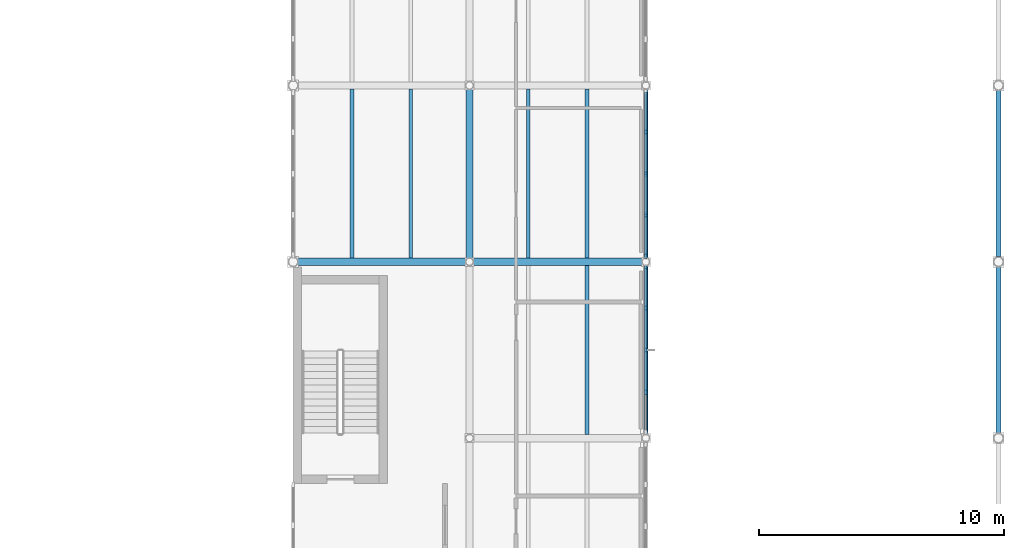
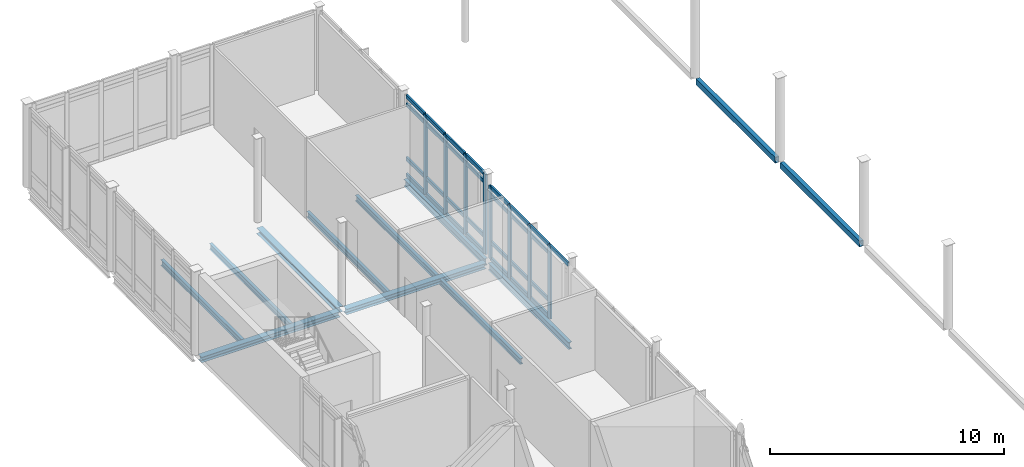
# One storey, part 25 of 76: 37 members, 12 beams, 2 elements without a shape of their own.
"""IFC4 building model written with IfcOpenShell, lengths in metres."""

import ifcopenshell
import ifcopenshell.guid

model = None  # the IFC model being written
_history = None  # IfcOwnerHistory: only IFC2X3 demands one
_inside = {}  # id of a spatial element -> (the spatial element, [elements in it])
_under = {}  # id of a project, library or spatial element -> (it, [spatial elements below it])
_declared = {}  # id of a project -> (the project, [libraries it declares])
_typed = {}  # id of a type object -> (the type object, [elements of that type])
_made_of = {}  # id of a material, layer set ... -> (it, [elements and type objects made of it])


def new_model(schema):
    """Start an empty IFC model of exactly this schema.

    Asked for "IFC4X3", IfcOpenShell would pick the latest addendum, in which some entities
    have other attributes; the version numbers below select the first issue.
    IFC2X3 requires an IfcOwnerHistory on every rooted entity: one is made here for all.
    """
    global model, _history
    if schema == "IFC4X3":
        model = ifcopenshell.file(schema_version=(4, 3, 0, 0))
    else:
        model = ifcopenshell.file(schema=schema)
    _inside.clear()
    _under.clear()
    _declared.clear()
    _typed.clear()
    _made_of.clear()
    _history = None
    if model.schema == "IFC2X3":
        org = make("IfcOrganization", Name="unknown")
        user = make(
            "IfcPersonAndOrganization",
            ThePerson=make("IfcPerson", FamilyName="unknown"),
            TheOrganization=org,
        )
        app = make(
            "IfcApplication",
            ApplicationDeveloper=org,
            Version="unknown",
            ApplicationFullName="unknown",
            ApplicationIdentifier="unknown",
        )
        _history = make(
            "IfcOwnerHistory",
            OwningUser=user,
            OwningApplication=app,
            ChangeAction="ADDED",
            CreationDate=0,
        )
    return model


def make(cls, **values):
    """One entity of the class cls with the attributes given. An attribute that is None is left unset."""
    return model.create_entity(
        cls, **{name: value for name, value in values.items() if value is not None}
    )


def rooted(cls, **values):
    """An entity with a GlobalId (a new one), such as an element, a storey or a relation."""
    return make(cls, GlobalId=ifcopenshell.guid.new(), OwnerHistory=_history, **values)


def si_unit(unit_type, name, prefix=None):
    """IfcSIUnit, for example si_unit("LENGTHUNIT", "METRE", prefix="MILLI")."""
    return make("IfcSIUnit", UnitType=unit_type, Prefix=prefix, Name=name)


def assignment(units):
    """IfcUnitAssignment: the units of a project."""
    return None if units is None else make("IfcUnitAssignment", Units=units)


def point(xyz):
    """IfcCartesianPoint."""
    return None if xyz is None else make("IfcCartesianPoint", Coordinates=xyz)


def direction(xyz):
    """IfcDirection."""
    return None if xyz is None else make("IfcDirection", DirectionRatios=xyz)


def frame(location, z_axis=None, x_axis=None):
    """IfcAxis2Placement3D, a coordinate frame: its origin and axes. An axis left out is left unset."""
    return make(
        "IfcAxis2Placement3D",
        Location=point(location),
        Axis=direction(z_axis),
        RefDirection=direction(x_axis),
    )


def frame_2d(location, x_axis=None):
    """IfcAxis2Placement2D, a coordinate frame in the plane: its origin and x axis."""
    return make(
        "IfcAxis2Placement2D", Location=point(location), RefDirection=direction(x_axis)
    )


def origin():
    """The frame at (0, 0, 0) with its axes left unset."""
    return frame((0.0, 0.0, 0.0))


def origin_2d():
    """The frame at (0, 0) in the plane with its x axis left unset."""
    return frame_2d((0.0, 0.0))


def place(relative_to, where):
    """IfcLocalPlacement: puts the frame where relative to a parent placement (None: the world)."""
    return make(
        "IfcLocalPlacement", PlacementRelTo=relative_to, RelativePlacement=where
    )


def context(
    kind, dimensions, precision=None, world=None, true_north=None, identifier=None
):
    """IfcGeometricRepresentationContext, for example the 3D "Model" context."""
    return make(
        "IfcGeometricRepresentationContext",
        ContextIdentifier=identifier,
        ContextType=kind,
        CoordinateSpaceDimension=dimensions,
        Precision=precision,
        WorldCoordinateSystem=world,
        TrueNorth=true_north,
    )


def subcontext(parent, identifier, kind, view, scale=None):
    """IfcGeometricRepresentationSubContext, for example "Body" below "Model"."""
    return make(
        "IfcGeometricRepresentationSubContext",
        ContextIdentifier=identifier,
        ContextType=kind,
        ParentContext=parent,
        TargetScale=scale,
        TargetView=view,
    )


def project(units=None, contexts=None):
    """IfcProject with its units and contexts."""
    return rooted(
        "IfcProject",
        Name="project",
        RepresentationContexts=contexts,
        UnitsInContext=assignment(units),
    )


def spatial(cls, under=None, at=None, **own):
    """A site, building, storey or space (cls), placed at a placement, below another one or the project."""
    s = rooted(cls, ObjectPlacement=at, **own)
    if under is not None:
        _under.setdefault(under.id(), (under, []))[1].append(s)
    return s


def profile(cls, at=None, kind="AREA", **sizes):
    """A parametric profile (cls). Its sizes go by their IFC names, for example OverallWidth=200.0."""
    return make(cls, ProfileType=kind, Position=at, **sizes)


def rectangle(**sizes):
    """IfcRectangleProfileDef."""
    return profile("IfcRectangleProfileDef", **sizes)


def hollow_rectangle(**sizes):
    """IfcRectangleHollowProfileDef."""
    return profile("IfcRectangleHollowProfileDef", **sizes)


def i_section(**sizes):
    """IfcIShapeProfileDef."""
    return profile("IfcIShapeProfileDef", **sizes)


def extrude(swept, where, along, depth):
    """IfcExtrudedAreaSolid: the profile swept, set in the frame where, extruded along a direction by depth."""
    return make(
        "IfcExtrudedAreaSolid",
        SweptArea=swept,
        Position=where,
        ExtrudedDirection=direction(along),
        Depth=depth,
    )


def shape(context_of_items, identifier, shape_type, items):
    """IfcShapeRepresentation: the items that make up one representation, for example the "Body"."""
    return make(
        "IfcShapeRepresentation",
        ContextOfItems=context_of_items,
        RepresentationIdentifier=identifier,
        RepresentationType=shape_type,
        Items=items,
    )


def material(Name=None, Category=None):
    """IfcMaterial."""
    return make("IfcMaterial", Name=Name, Category=Category)


def layer(
    of_material, thickness, ventilated=None, Name=None, Category=None, Priority=None
):
    """IfcMaterialLayer: one layer of a wall or slab, of a material (None: an air gap)."""
    return make(
        "IfcMaterialLayer",
        Material=of_material,
        LayerThickness=thickness,
        IsVentilated=ventilated,
        Name=Name,
        Category=Category,
        Priority=Priority,
    )


def layer_set(layers, Name=None):
    """IfcMaterialLayerSet."""
    return make("IfcMaterialLayerSet", MaterialLayers=layers, LayerSetName=Name)


def material_profile(
    of_material, cross_section, Name=None, Category=None, Priority=None
):
    """IfcMaterialProfile: a cross section and its material."""
    return make(
        "IfcMaterialProfile",
        Name=Name,
        Material=of_material,
        Profile=cross_section,
        Priority=Priority,
        Category=Category,
    )


def profile_set(profiles, Name=None, composite=None):
    """IfcMaterialProfileSet."""
    return make(
        "IfcMaterialProfileSet",
        Name=Name,
        MaterialProfiles=profiles,
        CompositeProfile=composite,
    )


def made_of(thing, what):
    """Note that an element or type object is made of a material, layer set ...; save() writes the relation."""
    if what is not None:
        _made_of.setdefault(what.id(), (what, []))[1].append(thing)
    return thing


def type_object(cls, material=None, **own):
    """A type object (cls), such as IfcWallType, which elements share."""
    return made_of(rooted(cls, **own), material)


def element(
    cls,
    number,
    at=None,
    inside=None,
    cuts=None,
    type_object=None,
    material=None,
    context=None,
    identifier="Body",
    shape_type=None,
    held_by="IfcProductDefinitionShape",
    body=None,
    shapes=None,
    **own,
):
    """One element of the class cls, such as IfcWall. Its Tag is "e" and its number.

    at: its placement. inside: the storey or other place that contains it. cuts: it is an
    opening in that element (IfcRelVoidsElement). A single representation is given by context,
    identifier, shape_type and body (its items); several are given by shapes. held_by: the class
    of the entity that holds the representations. save() writes the other relations.
    """
    e = rooted(cls, Tag="e%d" % number, ObjectPlacement=at, **own)
    if body is not None:
        shapes = [shape(context, identifier, shape_type, body)]
    if shapes is not None:
        e.Representation = make(held_by, Representations=shapes)
    if inside is not None:
        _inside.setdefault(inside.id(), (inside, []))[1].append(e)
    if cuts is not None:
        rooted(
            "IfcRelVoidsElement", RelatingBuildingElement=cuts, RelatedOpeningElement=e
        )
    if type_object is not None:
        _typed.setdefault(type_object.id(), (type_object, []))[1].append(e)
    return made_of(e, material)


def aggregate(whole, parts):
    """IfcRelAggregates: a whole, such as a stair, and the parts it consists of."""
    return rooted("IfcRelAggregates", RelatingObject=whole, RelatedObjects=parts)


def save(model, path):
    """Write the relations noted so far, then the file.

    IfcRelAggregates (storeys below a building ...), IfcRelContainedInSpatialStructure (elements
    in a storey), IfcRelDefinesByType, IfcRelAssociatesMaterial and IfcRelDeclares: one each for
    every whole, place, type object, material and project.
    """
    for whole, parts in _under.values():
        aggregate(whole, parts)
    for where, things in _inside.values():
        rooted(
            "IfcRelContainedInSpatialStructure",
            RelatedElements=things,
            RelatingStructure=where,
        )
    for kind, things in _typed.values():
        rooted("IfcRelDefinesByType", RelatedObjects=things, RelatingType=kind)
    for what, things in _made_of.values():
        rooted("IfcRelAssociatesMaterial", RelatedObjects=things, RelatingMaterial=what)
    for by, libraries in _declared.values():
        rooted("IfcRelDeclares", RelatingContext=by, RelatedDefinitions=libraries)
    model.write(path)


model = new_model("IFC4")

# Units and contexts
model_context = context("Model", 3, precision=1e-05, world=origin(), true_north=direction((0.0, 1.0)))
body_context = subcontext(model_context, "Body", "Model", "MODEL_VIEW")
ifc_project = project(units=[si_unit("LENGTHUNIT", "METRE"), si_unit("AREAUNIT", "SQUARE_METRE"), si_unit("VOLUMEUNIT", "CUBIC_METRE"), si_unit("PLANEANGLEUNIT", "RADIAN"), si_unit("MASSUNIT", "GRAM", prefix="KILO")], contexts=[model_context])

# Site, building, storey
site_placement = place(None, origin())
site = spatial("IfcSite", under=ifc_project, at=site_placement, CompositionType="ELEMENT")
building_placement = place(site_placement, origin())
building = spatial("IfcBuilding", under=site, at=building_placement, Name="Zarrinpeak Specialist Clinic", CompositionType="ELEMENT")
storey_placement = place(building_placement, frame((0.0, 0.0, 5.199951171875)))
storey = spatial("IfcBuildingStorey", under=building, at=storey_placement, Name="L01", CompositionType="ELEMENT", Elevation=5.199951171875)

# Beams
ifc_material_1 = material(Name="Steel S355", Category="steel")
ifc_material_profile_1 = material_profile(ifc_material_1, i_section(OverallWidth=0.300048828125, OverallDepth=0.2900390625, WebThickness=0.008544921875, FlangeThickness=0.013916015625, FilletRadius=0.027099609375, at=origin_2d()), Name="HEA 300")
ifc_profile_set_1 = profile_set([ifc_material_profile_1], Name="Steel S355")
beam_type_1 = type_object("IfcBeamType", Name="BM-HEA300", PredefinedType="BEAM", material=ifc_profile_set_1)
beam_1_placement = place(storey_placement, frame((93.80126953125, 57.60009765625, -0.375), z_axis=(1.0, 0.0, 0.0), x_axis=(0.0, 1.0, 0.0)))
element("IfcBeam", 1, at=beam_1_placement, inside=storey, type_object=beam_type_1, Name="L01 Primary Floor Girder BM-L01-X0789", PredefinedType="BEAM", context=body_context, shape_type="SweptSolid", body=[
    extrude(i_section(OverallWidth=0.300048828125, OverallDepth=0.2900390625, WebThickness=0.008544921875, FlangeThickness=0.013916015625, FilletRadius=0.027099609375, at=origin_2d()), origin(), (0.0, 0.0, 1.0), 6.838623046875),
])
beam_2_placement = place(storey_placement, frame((100.9599609375, 57.60009765625, -0.375), z_axis=(1.0, 0.0, 0.0), x_axis=(0.0, 1.0, 0.0)))
element("IfcBeam", 2, at=beam_2_placement, inside=storey, type_object=beam_type_1, Name="L01 Primary Floor Girder BM-L01-X0790", PredefinedType="BEAM", context=body_context, shape_type="SweptSolid", body=[
    extrude(i_section(OverallWidth=0.300048828125, OverallDepth=0.2900390625, WebThickness=0.008544921875, FlangeThickness=0.013916015625, FilletRadius=0.027099609375, at=origin_2d()), origin(), (0.0, 0.0, 1.0), 6.880126953125),
])
beam_3_placement = place(storey_placement, frame((100.800048828125, 57.760009765625, -0.375), z_axis=(0.0, 1.0, 0.0), x_axis=(-1.0, 0.0, 0.0)))
element("IfcBeam", 3, at=beam_3_placement, inside=storey, type_object=beam_type_1, Name="L01 Primary Beam BM-L01-Y0937", PredefinedType="BEAM", context=body_context, shape_type="SweptSolid", body=[
    extrude(i_section(OverallWidth=0.300048828125, OverallDepth=0.2900390625, WebThickness=0.008544921875, FlangeThickness=0.013916015625, FilletRadius=0.027099609375, at=origin_2d()), origin(), (0.0, 0.0, 1.0), 6.8798828125),
])
ifc_material_profile_2 = material_profile(ifc_material_1, i_section(OverallWidth=0.14990234375, OverallDepth=0.300048828125, WebThickness=0.007080078125, FlangeThickness=0.0107421875, FilletRadius=0.014892578125, at=origin_2d()), Name="IPE 300")
ifc_profile_set_2 = profile_set([ifc_material_profile_2], Name="Steel S355")
beam_type_2 = type_object("IfcBeamType", Name="BM-JST300", PredefinedType="JOIST", material=ifc_profile_set_2)
for number, where, z_axis, x_axis, name in (
    (4, (96.0, 57.748046875, -0.3798828125), (0.0, 1.0, 0.0), (-1.0, 0.0, 0.0), "L01 Composite Floor Joist JST-L01-1029"),
    (5, (98.39990234375, 57.748046875, -0.3798828125), (0.0, 1.0, 0.0), (-1.0, 0.0, 0.0), "L01 Composite Floor Joist JST-L01-1030"),
):
    element("IfcBeam", number, at=place(storey_placement, frame(where, z_axis=z_axis, x_axis=x_axis)), inside=storey, type_object=beam_type_2, Name=name, PredefinedType="JOIST", context=body_context, shape_type="SweptSolid", body=[
        extrude(i_section(OverallWidth=0.14990234375, OverallDepth=0.300048828125, WebThickness=0.007080078125, FlangeThickness=0.0107421875, FilletRadius=0.014892578125, at=origin_2d()), origin(), (0.0, 0.0, 1.0), 6.904052734375),
    ])
beam_4_placement = place(storey_placement, frame((105.60009765625, 50.548095703125, -0.3798828125), z_axis=(0.0, 1.0, 0.0), x_axis=(-1.0, 0.0, 0.0)))
element("IfcBeam", 6, at=beam_4_placement, inside=storey, type_object=beam_type_2, Name="L01 Composite Floor Joist JST-L01-1040", PredefinedType="JOIST", context=body_context, shape_type="SweptSolid", body=[
    extrude(i_section(OverallWidth=0.14990234375, OverallDepth=0.300048828125, WebThickness=0.007080078125, FlangeThickness=0.0107421875, FilletRadius=0.014892578125, at=origin_2d()), origin(), (0.0, 0.0, 1.0), 6.90380859375),
])
for number, where, z_axis, x_axis, name in (
    (7, (103.199951171875, 57.748046875, -0.3798828125), (0.0, 1.0, 0.0), (-1.0, 0.0, 0.0), "L01 Composite Floor Joist JST-L01-1041"),
    (8, (105.60009765625, 57.748046875, -0.3798828125), (0.0, 1.0, 0.0), (-1.0, 0.0, 0.0), "L01 Composite Floor Joist JST-L01-1042"),
):
    element("IfcBeam", number, at=place(storey_placement, frame(where, z_axis=z_axis, x_axis=x_axis)), inside=storey, type_object=beam_type_2, Name=name, PredefinedType="JOIST", context=body_context, shape_type="SweptSolid", body=[
        extrude(i_section(OverallWidth=0.14990234375, OverallDepth=0.300048828125, WebThickness=0.007080078125, FlangeThickness=0.0107421875, FilletRadius=0.014892578125, at=origin_2d()), origin(), (0.0, 0.0, 1.0), 6.904052734375),
    ])
ifc_material_profile_3 = material_profile(ifc_material_1, hollow_rectangle(XDim=0.199951171875, YDim=0.300048828125, WallThickness=0.012451171875, at=origin_2d()), Name="RHS 300x200x12.5")
ifc_profile_set_3 = profile_set([ifc_material_profile_3], Name="Steel S355")
beam_type_3 = type_object("IfcBeamType", Name="BM-SP300", PredefinedType="SPANDREL", material=ifc_profile_set_3)
beam_5_placement = place(storey_placement, frame((122.39990234375, 50.610107421875, -0.14990234375), z_axis=(0.0, 1.0, 0.0), x_axis=(-1.0, 0.0, 0.0)))
element("IfcBeam", 9, at=beam_5_placement, inside=storey, type_object=beam_type_3, Name="L01 V3 Hall East Spandrel Girt Y2538", PredefinedType="SPANDREL", context=body_context, shape_type="SweptSolid", body=[
    extrude(hollow_rectangle(XDim=0.199951171875, YDim=0.300048828125, WallThickness=0.012451171875, at=origin_2d()), origin(), (0.0, 0.0, 1.0), 6.77978515625),
])
beam_6_placement = place(storey_placement, frame((122.39990234375, 57.81005859375, -0.14990234375), z_axis=(0.0, 1.0, 0.0), x_axis=(-1.0, 0.0, 0.0)))
element("IfcBeam", 10, at=beam_6_placement, inside=storey, type_object=beam_type_3, Name="L01 V3 Hall East Spandrel Girt Y2539", PredefinedType="SPANDREL", context=body_context, shape_type="SweptSolid", body=[
    extrude(hollow_rectangle(XDim=0.199951171875, YDim=0.300048828125, WallThickness=0.012451171875, at=origin_2d()), origin(), (0.0, 0.0, 1.0), 6.780029296875),
])
ifc_material_profile_4 = material_profile(ifc_material_1, i_section(OverallWidth=0.169921875, OverallDepth=0.360107421875, WebThickness=0.008056640625, FlangeThickness=0.0126953125, FilletRadius=0.01806640625, at=origin_2d()), Name="IPE 360")
ifc_profile_set_4 = profile_set([ifc_material_profile_4], Name="Steel S355")
beam_type_4 = type_object("IfcBeamType", Name="BM-SP360", PredefinedType="SPANDREL", material=ifc_profile_set_4)
beam_7_placement = place(storey_placement, frame((108.0, 50.559814453125, -0.409912109375), z_axis=(0.0, 1.0, 0.0), x_axis=(-1.0, 0.0, 0.0)))
element("IfcBeam", 11, at=beam_7_placement, inside=storey, type_object=beam_type_4, Name="L01 Perimeter Spandrel Beam BM-L01-Y0942", PredefinedType="SPANDREL", context=body_context, shape_type="SweptSolid", body=[
    extrude(i_section(OverallWidth=0.169921875, OverallDepth=0.360107421875, WebThickness=0.008056640625, FlangeThickness=0.0126953125, FilletRadius=0.01806640625, at=origin_2d()), origin(), (0.0, 0.0, 1.0), 6.88037109375),
])
beam_8_placement = place(storey_placement, frame((108.0, 57.760009765625, -0.409912109375), z_axis=(0.0, 1.0, 0.0), x_axis=(-1.0, 0.0, 0.0)))
element("IfcBeam", 12, at=beam_8_placement, inside=storey, type_object=beam_type_4, Name="L01 Perimeter Spandrel Beam BM-L01-Y0943", PredefinedType="SPANDREL", context=body_context, shape_type="SweptSolid", body=[
    extrude(i_section(OverallWidth=0.169921875, OverallDepth=0.360107421875, WebThickness=0.008056640625, FlangeThickness=0.0126953125, FilletRadius=0.01806640625, at=origin_2d()), origin(), (0.0, 0.0, 1.0), 6.8798828125),
])

# Curtain wall, members
ifc_material_2 = material(Name="Anodised Aluminium Alloy 6063-T6", Category="aluminium")
ifc_layer = layer(ifc_material_2, 0.199951171875)
ifc_layer_set = layer_set([ifc_layer], Name="Anodised Aluminium Alloy 6063-T6")
curtain_wall_type = type_object("IfcCurtainWallType", Name="CW-HALL", PredefinedType="NOTDEFINED", material=ifc_layer_set)
curtain_wall_1_placement = place(storey_placement, origin())
curtain_wall_1 = element("IfcCurtainWall", 13, at=curtain_wall_1_placement, inside=storey, type_object=curtain_wall_type, Name="L01 V3 Unitised Curtain Wall CW-L01-V3-108", PredefinedType="NOTDEFINED")
ifc_material_profile_5 = material_profile(ifc_material_2, rectangle(XDim=0.090087890625, YDim=0.219970703125, at=origin_2d()), Name="ALU 90x220")
ifc_profile_set_5 = profile_set([ifc_material_profile_5], Name="Anodised Aluminium Alloy 6063-T6")
member_type_1 = type_object("IfcMemberType", Name="CWM-90", PredefinedType="MULLION", material=ifc_profile_set_5)
member_1_placement = place(storey_placement, frame((108.0, 52.29345703125, 0.0), z_axis=(0.0, 0.0, 1.0), x_axis=(-1.0, 0.0, 0.0)))
member_1 = element("IfcMember", 14, at=member_1_placement, type_object=member_type_1, Name="CW-02 mullion 2", PredefinedType="MULLION", context=body_context, shape_type="SweptSolid", body=[
    extrude(rectangle(XDim=0.090087890625, YDim=0.219970703125, at=origin_2d()), origin(), (0.0, 0.0, 1.0), 3.81005859375),
])
member_2_placement = place(storey_placement, frame((108.0, 54.0, 0.0), z_axis=(0.0, 0.0, 1.0), x_axis=(-1.0, 0.0, 0.0)))
member_2 = element("IfcMember", 15, at=member_2_placement, type_object=member_type_1, Name="CW-02 mullion 3", PredefinedType="MULLION", context=body_context, shape_type="SweptSolid", body=[
    extrude(rectangle(XDim=0.090087890625, YDim=0.219970703125, at=origin_2d()), origin(), (0.0, 0.0, 1.0), 3.81005859375),
])
member_3_placement = place(storey_placement, frame((108.0, 55.70654296875, 0.0), z_axis=(0.0, 0.0, 1.0), x_axis=(-1.0, 0.0, 0.0)))
member_3 = element("IfcMember", 16, at=member_3_placement, type_object=member_type_1, Name="CW-02 mullion 4", PredefinedType="MULLION", context=body_context, shape_type="SweptSolid", body=[
    extrude(rectangle(XDim=0.090087890625, YDim=0.219970703125, at=origin_2d()), origin(), (0.0, 0.0, 1.0), 3.81005859375),
])
member_4_placement = place(storey_placement, frame((108.0, 57.367919921875, 0.0), z_axis=(0.0, 0.0, 1.0), x_axis=(-1.0, 0.0, 0.0)))
member_4 = element("IfcMember", 17, at=member_4_placement, type_object=member_type_1, Name="CW-02 mullion 5", PredefinedType="MULLION", context=body_context, shape_type="SweptSolid", body=[
    extrude(rectangle(XDim=0.090087890625, YDim=0.219970703125, at=origin_2d()), origin(), (0.0, 0.0, 1.0), 3.81005859375),
])

curtain_wall_2_placement = place(storey_placement, origin())
curtain_wall_2 = element("IfcCurtainWall", 18, at=curtain_wall_2_placement, inside=storey, type_object=curtain_wall_type, Name="L01 V3 Unitised Curtain Wall CW-L01-V3-109", PredefinedType="NOTDEFINED")
member_5_placement = place(storey_placement, frame((108.0, 57.83203125, 0.0), z_axis=(0.0, 0.0, 1.0), x_axis=(-1.0, 0.0, 0.0)))
member_5 = element("IfcMember", 19, at=member_5_placement, type_object=member_type_1, Name="CW-02 mullion 1", PredefinedType="MULLION", context=body_context, shape_type="SweptSolid", body=[
    extrude(rectangle(XDim=0.090087890625, YDim=0.219970703125, at=origin_2d()), origin(), (0.0, 0.0, 1.0), 4.18505859375),
])
member_6_placement = place(storey_placement, frame((108.0, 59.493408203125, 0.0), z_axis=(0.0, 0.0, 1.0), x_axis=(-1.0, 0.0, 0.0)))
member_6 = element("IfcMember", 20, at=member_6_placement, type_object=member_type_1, Name="CW-02 mullion 2", PredefinedType="MULLION", context=body_context, shape_type="SweptSolid", body=[
    extrude(rectangle(XDim=0.090087890625, YDim=0.219970703125, at=origin_2d()), origin(), (0.0, 0.0, 1.0), 4.18505859375),
])
member_7_placement = place(storey_placement, frame((108.0, 61.199951171875, 0.0), z_axis=(0.0, 0.0, 1.0), x_axis=(-1.0, 0.0, 0.0)))
member_7 = element("IfcMember", 21, at=member_7_placement, type_object=member_type_1, Name="CW-02 mullion 3", PredefinedType="MULLION", context=body_context, shape_type="SweptSolid", body=[
    extrude(rectangle(XDim=0.090087890625, YDim=0.219970703125, at=origin_2d()), origin(), (0.0, 0.0, 1.0), 4.18505859375),
])
member_8_placement = place(storey_placement, frame((108.0, 62.906494140625, 0.0), z_axis=(0.0, 0.0, 1.0), x_axis=(-1.0, 0.0, 0.0)))
member_8 = element("IfcMember", 22, at=member_8_placement, type_object=member_type_1, Name="CW-02 mullion 4", PredefinedType="MULLION", context=body_context, shape_type="SweptSolid", body=[
    extrude(rectangle(XDim=0.090087890625, YDim=0.219970703125, at=origin_2d()), origin(), (0.0, 0.0, 1.0), 4.18505859375),
])

# Member
ifc_material_profile_6 = material_profile(ifc_material_2, rectangle(XDim=0.090087890625, YDim=0.18994140625, at=origin_2d()), Name="ALU 90x190")
ifc_profile_set_6 = profile_set([ifc_material_profile_6], Name="Anodised Aluminium Alloy 6063-T6")
member_type_2 = type_object("IfcMemberType", Name="CWT-90", PredefinedType="USERDEFINED", material=ifc_profile_set_6)
member_9_placement = place(storey_placement, frame((108.0, 50.677001953125, 3.76513671875), z_axis=(0.0, 1.0, 0.0), x_axis=(-1.0, 0.0, 0.0)))
member_9 = element("IfcMember", 23, at=member_9_placement, type_object=member_type_2, Name="CW-02 transom 1.4", ObjectType="TRANSOM", PredefinedType="USERDEFINED", context=body_context, shape_type="SweptSolid", body=[
    extrude(rectangle(XDim=0.090087890625, YDim=0.18994140625, at=origin_2d()), origin(), (0.0, 0.0, 1.0), 1.571533203125),
])

member_10_placement = place(storey_placement, frame((108.0, 52.33837890625, 0.045166015625), z_axis=(0.0, 1.0, 0.0), x_axis=(-1.0, 0.0, 0.0)))
member_10 = element("IfcMember", 24, at=member_10_placement, type_object=member_type_2, Name="CW-02 transom 2.1", ObjectType="TRANSOM", PredefinedType="USERDEFINED", context=body_context, shape_type="SweptSolid", body=[
    extrude(rectangle(XDim=0.090087890625, YDim=0.18994140625, at=origin_2d()), origin(), (0.0, 0.0, 1.0), 1.61669921875),
])

member_11_placement = place(storey_placement, frame((108.0, 52.33837890625, 0.900146484375), z_axis=(0.0, 1.0, 0.0), x_axis=(-1.0, 0.0, 0.0)))
member_11 = element("IfcMember", 25, at=member_11_placement, type_object=member_type_2, Name="CW-02 transom 2.2", ObjectType="TRANSOM", PredefinedType="USERDEFINED", context=body_context, shape_type="SweptSolid", body=[
    extrude(rectangle(XDim=0.090087890625, YDim=0.18994140625, at=origin_2d()), origin(), (0.0, 0.0, 1.0), 1.61669921875),
])

member_12_placement = place(storey_placement, frame((108.0, 52.33837890625, 3.360107421875), z_axis=(0.0, 1.0, 0.0), x_axis=(-1.0, 0.0, 0.0)))
member_12 = element("IfcMember", 26, at=member_12_placement, type_object=member_type_2, Name="CW-02 transom 2.3", ObjectType="TRANSOM", PredefinedType="USERDEFINED", context=body_context, shape_type="SweptSolid", body=[
    extrude(rectangle(XDim=0.090087890625, YDim=0.18994140625, at=origin_2d()), origin(), (0.0, 0.0, 1.0), 1.61669921875),
])

member_13_placement = place(storey_placement, frame((108.0, 52.33837890625, 3.76513671875), z_axis=(0.0, 1.0, 0.0), x_axis=(-1.0, 0.0, 0.0)))
member_13 = element("IfcMember", 27, at=member_13_placement, type_object=member_type_2, Name="CW-02 transom 2.4", ObjectType="TRANSOM", PredefinedType="USERDEFINED", context=body_context, shape_type="SweptSolid", body=[
    extrude(rectangle(XDim=0.090087890625, YDim=0.18994140625, at=origin_2d()), origin(), (0.0, 0.0, 1.0), 1.61669921875),
])

member_14_placement = place(storey_placement, frame((108.0, 54.044921875, 0.045166015625), z_axis=(0.0, 1.0, 0.0), x_axis=(-1.0, 0.0, 0.0)))
member_14 = element("IfcMember", 28, at=member_14_placement, type_object=member_type_2, Name="CW-02 transom 3.1", ObjectType="TRANSOM", PredefinedType="USERDEFINED", context=body_context, shape_type="SweptSolid", body=[
    extrude(rectangle(XDim=0.090087890625, YDim=0.18994140625, at=origin_2d()), origin(), (0.0, 0.0, 1.0), 1.61669921875),
])

member_15_placement = place(storey_placement, frame((108.0, 54.044921875, 0.900146484375), z_axis=(0.0, 1.0, 0.0), x_axis=(-1.0, 0.0, 0.0)))
member_15 = element("IfcMember", 29, at=member_15_placement, type_object=member_type_2, Name="CW-02 transom 3.2", ObjectType="TRANSOM", PredefinedType="USERDEFINED", context=body_context, shape_type="SweptSolid", body=[
    extrude(rectangle(XDim=0.090087890625, YDim=0.18994140625, at=origin_2d()), origin(), (0.0, 0.0, 1.0), 1.61669921875),
])

member_16_placement = place(storey_placement, frame((108.0, 54.044921875, 3.360107421875), z_axis=(0.0, 1.0, 0.0), x_axis=(-1.0, 0.0, 0.0)))
member_16 = element("IfcMember", 30, at=member_16_placement, type_object=member_type_2, Name="CW-02 transom 3.3", ObjectType="TRANSOM", PredefinedType="USERDEFINED", context=body_context, shape_type="SweptSolid", body=[
    extrude(rectangle(XDim=0.090087890625, YDim=0.18994140625, at=origin_2d()), origin(), (0.0, 0.0, 1.0), 1.61669921875),
])

member_17_placement = place(storey_placement, frame((108.0, 54.044921875, 3.76513671875), z_axis=(0.0, 1.0, 0.0), x_axis=(-1.0, 0.0, 0.0)))
member_17 = element("IfcMember", 31, at=member_17_placement, type_object=member_type_2, Name="CW-02 transom 3.4", ObjectType="TRANSOM", PredefinedType="USERDEFINED", context=body_context, shape_type="SweptSolid", body=[
    extrude(rectangle(XDim=0.090087890625, YDim=0.18994140625, at=origin_2d()), origin(), (0.0, 0.0, 1.0), 1.61669921875),
])

member_18_placement = place(storey_placement, frame((108.0, 55.75146484375, 0.045166015625), z_axis=(0.0, 1.0, 0.0), x_axis=(-1.0, 0.0, 0.0)))
member_18 = element("IfcMember", 32, at=member_18_placement, type_object=member_type_2, Name="CW-02 transom 4.1", ObjectType="TRANSOM", PredefinedType="USERDEFINED", context=body_context, shape_type="SweptSolid", body=[
    extrude(rectangle(XDim=0.090087890625, YDim=0.18994140625, at=origin_2d()), origin(), (0.0, 0.0, 1.0), 1.571533203125),
])

member_19_placement = place(storey_placement, frame((108.0, 55.75146484375, 0.900146484375), z_axis=(0.0, 1.0, 0.0), x_axis=(-1.0, 0.0, 0.0)))
member_19 = element("IfcMember", 33, at=member_19_placement, type_object=member_type_2, Name="CW-02 transom 4.2", ObjectType="TRANSOM", PredefinedType="USERDEFINED", context=body_context, shape_type="SweptSolid", body=[
    extrude(rectangle(XDim=0.090087890625, YDim=0.18994140625, at=origin_2d()), origin(), (0.0, 0.0, 1.0), 1.571533203125),
])

member_20_placement = place(storey_placement, frame((108.0, 55.75146484375, 3.360107421875), z_axis=(0.0, 1.0, 0.0), x_axis=(-1.0, 0.0, 0.0)))
member_20 = element("IfcMember", 34, at=member_20_placement, type_object=member_type_2, Name="CW-02 transom 4.3", ObjectType="TRANSOM", PredefinedType="USERDEFINED", context=body_context, shape_type="SweptSolid", body=[
    extrude(rectangle(XDim=0.090087890625, YDim=0.18994140625, at=origin_2d()), origin(), (0.0, 0.0, 1.0), 1.571533203125),
])

member_21_placement = place(storey_placement, frame((108.0, 55.75146484375, 3.76513671875), z_axis=(0.0, 1.0, 0.0), x_axis=(-1.0, 0.0, 0.0)))
member_21 = element("IfcMember", 35, at=member_21_placement, type_object=member_type_2, Name="CW-02 transom 4.4", ObjectType="TRANSOM", PredefinedType="USERDEFINED", context=body_context, shape_type="SweptSolid", body=[
    extrude(rectangle(XDim=0.090087890625, YDim=0.18994140625, at=origin_2d()), origin(), (0.0, 0.0, 1.0), 1.571533203125),
])

aggregate(curtain_wall_1, [member_1, member_2, member_3, member_4, member_9, member_10, member_11, member_12, member_13, member_14, member_15, member_16, member_17, member_18, member_19, member_20, member_21])

member_22_placement = place(storey_placement, frame((108.0, 57.876953125, 0.045166015625), z_axis=(0.0, 1.0, 0.0), x_axis=(-1.0, 0.0, 0.0)))
member_22 = element("IfcMember", 36, at=member_22_placement, type_object=member_type_2, Name="CW-02 transom 1.1", ObjectType="TRANSOM", PredefinedType="USERDEFINED", context=body_context, shape_type="SweptSolid", body=[
    extrude(rectangle(XDim=0.090087890625, YDim=0.18994140625, at=origin_2d()), origin(), (0.0, 0.0, 1.0), 1.571533203125),
])

member_23_placement = place(storey_placement, frame((108.0, 57.876953125, 0.900146484375), z_axis=(0.0, 1.0, 0.0), x_axis=(-1.0, 0.0, 0.0)))
member_23 = element("IfcMember", 37, at=member_23_placement, type_object=member_type_2, Name="CW-02 transom 1.2", ObjectType="TRANSOM", PredefinedType="USERDEFINED", context=body_context, shape_type="SweptSolid", body=[
    extrude(rectangle(XDim=0.090087890625, YDim=0.18994140625, at=origin_2d()), origin(), (0.0, 0.0, 1.0), 1.571533203125),
])

member_24_placement = place(storey_placement, frame((108.0, 57.876953125, 3.735107421875), z_axis=(0.0, 1.0, 0.0), x_axis=(-1.0, 0.0, 0.0)))
member_24 = element("IfcMember", 38, at=member_24_placement, type_object=member_type_2, Name="CW-02 transom 1.3", ObjectType="TRANSOM", PredefinedType="USERDEFINED", context=body_context, shape_type="SweptSolid", body=[
    extrude(rectangle(XDim=0.090087890625, YDim=0.18994140625, at=origin_2d()), origin(), (0.0, 0.0, 1.0), 1.571533203125),
])

member_25_placement = place(storey_placement, frame((108.0, 57.876953125, 4.14013671875), z_axis=(0.0, 1.0, 0.0), x_axis=(-1.0, 0.0, 0.0)))
member_25 = element("IfcMember", 39, at=member_25_placement, type_object=member_type_2, Name="CW-02 transom 1.4", ObjectType="TRANSOM", PredefinedType="USERDEFINED", context=body_context, shape_type="SweptSolid", body=[
    extrude(rectangle(XDim=0.090087890625, YDim=0.18994140625, at=origin_2d()), origin(), (0.0, 0.0, 1.0), 1.571533203125),
])

member_26_placement = place(storey_placement, frame((108.0, 59.53857421875, 0.045166015625), z_axis=(0.0, 1.0, 0.0), x_axis=(-1.0, 0.0, 0.0)))
member_26 = element("IfcMember", 40, at=member_26_placement, type_object=member_type_2, Name="CW-02 transom 2.1", ObjectType="TRANSOM", PredefinedType="USERDEFINED", context=body_context, shape_type="SweptSolid", body=[
    extrude(rectangle(XDim=0.090087890625, YDim=0.18994140625, at=origin_2d()), origin(), (0.0, 0.0, 1.0), 1.616455078125),
])

member_27_placement = place(storey_placement, frame((108.0, 59.53857421875, 0.900146484375), z_axis=(0.0, 1.0, 0.0), x_axis=(-1.0, 0.0, 0.0)))
member_27 = element("IfcMember", 41, at=member_27_placement, type_object=member_type_2, Name="CW-02 transom 2.2", ObjectType="TRANSOM", PredefinedType="USERDEFINED", context=body_context, shape_type="SweptSolid", body=[
    extrude(rectangle(XDim=0.090087890625, YDim=0.18994140625, at=origin_2d()), origin(), (0.0, 0.0, 1.0), 1.616455078125),
])

member_28_placement = place(storey_placement, frame((108.0, 59.53857421875, 3.735107421875), z_axis=(0.0, 1.0, 0.0), x_axis=(-1.0, 0.0, 0.0)))
member_28 = element("IfcMember", 42, at=member_28_placement, type_object=member_type_2, Name="CW-02 transom 2.3", ObjectType="TRANSOM", PredefinedType="USERDEFINED", context=body_context, shape_type="SweptSolid", body=[
    extrude(rectangle(XDim=0.090087890625, YDim=0.18994140625, at=origin_2d()), origin(), (0.0, 0.0, 1.0), 1.616455078125),
])

member_29_placement = place(storey_placement, frame((108.0, 59.53857421875, 4.14013671875), z_axis=(0.0, 1.0, 0.0), x_axis=(-1.0, 0.0, 0.0)))
member_29 = element("IfcMember", 43, at=member_29_placement, type_object=member_type_2, Name="CW-02 transom 2.4", ObjectType="TRANSOM", PredefinedType="USERDEFINED", context=body_context, shape_type="SweptSolid", body=[
    extrude(rectangle(XDim=0.090087890625, YDim=0.18994140625, at=origin_2d()), origin(), (0.0, 0.0, 1.0), 1.616455078125),
])

member_30_placement = place(storey_placement, frame((108.0, 61.2451171875, 0.045166015625), z_axis=(0.0, 1.0, 0.0), x_axis=(-1.0, 0.0, 0.0)))
member_30 = element("IfcMember", 44, at=member_30_placement, type_object=member_type_2, Name="CW-02 transom 3.1", ObjectType="TRANSOM", PredefinedType="USERDEFINED", context=body_context, shape_type="SweptSolid", body=[
    extrude(rectangle(XDim=0.090087890625, YDim=0.18994140625, at=origin_2d()), origin(), (0.0, 0.0, 1.0), 1.616455078125),
])

member_31_placement = place(storey_placement, frame((108.0, 61.2451171875, 0.900146484375), z_axis=(0.0, 1.0, 0.0), x_axis=(-1.0, 0.0, 0.0)))
member_31 = element("IfcMember", 45, at=member_31_placement, type_object=member_type_2, Name="CW-02 transom 3.2", ObjectType="TRANSOM", PredefinedType="USERDEFINED", context=body_context, shape_type="SweptSolid", body=[
    extrude(rectangle(XDim=0.090087890625, YDim=0.18994140625, at=origin_2d()), origin(), (0.0, 0.0, 1.0), 1.616455078125),
])

member_32_placement = place(storey_placement, frame((108.0, 61.2451171875, 3.735107421875), z_axis=(0.0, 1.0, 0.0), x_axis=(-1.0, 0.0, 0.0)))
member_32 = element("IfcMember", 46, at=member_32_placement, type_object=member_type_2, Name="CW-02 transom 3.3", ObjectType="TRANSOM", PredefinedType="USERDEFINED", context=body_context, shape_type="SweptSolid", body=[
    extrude(rectangle(XDim=0.090087890625, YDim=0.18994140625, at=origin_2d()), origin(), (0.0, 0.0, 1.0), 1.616455078125),
])

member_33_placement = place(storey_placement, frame((108.0, 61.2451171875, 4.14013671875), z_axis=(0.0, 1.0, 0.0), x_axis=(-1.0, 0.0, 0.0)))
member_33 = element("IfcMember", 47, at=member_33_placement, type_object=member_type_2, Name="CW-02 transom 3.4", ObjectType="TRANSOM", PredefinedType="USERDEFINED", context=body_context, shape_type="SweptSolid", body=[
    extrude(rectangle(XDim=0.090087890625, YDim=0.18994140625, at=origin_2d()), origin(), (0.0, 0.0, 1.0), 1.616455078125),
])

member_34_placement = place(storey_placement, frame((108.0, 62.95166015625, 0.045166015625), z_axis=(0.0, 1.0, 0.0), x_axis=(-1.0, 0.0, 0.0)))
member_34 = element("IfcMember", 48, at=member_34_placement, type_object=member_type_2, Name="CW-02 transom 4.1", ObjectType="TRANSOM", PredefinedType="USERDEFINED", context=body_context, shape_type="SweptSolid", body=[
    extrude(rectangle(XDim=0.090087890625, YDim=0.18994140625, at=origin_2d()), origin(), (0.0, 0.0, 1.0), 1.571533203125),
])

member_35_placement = place(storey_placement, frame((108.0, 62.95166015625, 0.900146484375), z_axis=(0.0, 1.0, 0.0), x_axis=(-1.0, 0.0, 0.0)))
member_35 = element("IfcMember", 49, at=member_35_placement, type_object=member_type_2, Name="CW-02 transom 4.2", ObjectType="TRANSOM", PredefinedType="USERDEFINED", context=body_context, shape_type="SweptSolid", body=[
    extrude(rectangle(XDim=0.090087890625, YDim=0.18994140625, at=origin_2d()), origin(), (0.0, 0.0, 1.0), 1.571533203125),
])

member_36_placement = place(storey_placement, frame((108.0, 62.95166015625, 3.735107421875), z_axis=(0.0, 1.0, 0.0), x_axis=(-1.0, 0.0, 0.0)))
member_36 = element("IfcMember", 50, at=member_36_placement, type_object=member_type_2, Name="CW-02 transom 4.3", ObjectType="TRANSOM", PredefinedType="USERDEFINED", context=body_context, shape_type="SweptSolid", body=[
    extrude(rectangle(XDim=0.090087890625, YDim=0.18994140625, at=origin_2d()), origin(), (0.0, 0.0, 1.0), 1.571533203125),
])

member_37_placement = place(storey_placement, frame((108.0, 62.95166015625, 4.14013671875), z_axis=(0.0, 1.0, 0.0), x_axis=(-1.0, 0.0, 0.0)))
member_37 = element("IfcMember", 51, at=member_37_placement, type_object=member_type_2, Name="CW-02 transom 4.4", ObjectType="TRANSOM", PredefinedType="USERDEFINED", context=body_context, shape_type="SweptSolid", body=[
    extrude(rectangle(XDim=0.090087890625, YDim=0.18994140625, at=origin_2d()), origin(), (0.0, 0.0, 1.0), 1.571533203125),
])

aggregate(curtain_wall_2, [member_5, member_6, member_7, member_8, member_22, member_23, member_24, member_25, member_26, member_27, member_28, member_29, member_30, member_31, member_32, member_33, member_34, member_35, member_36, member_37])

save(model, "model.ifc")
